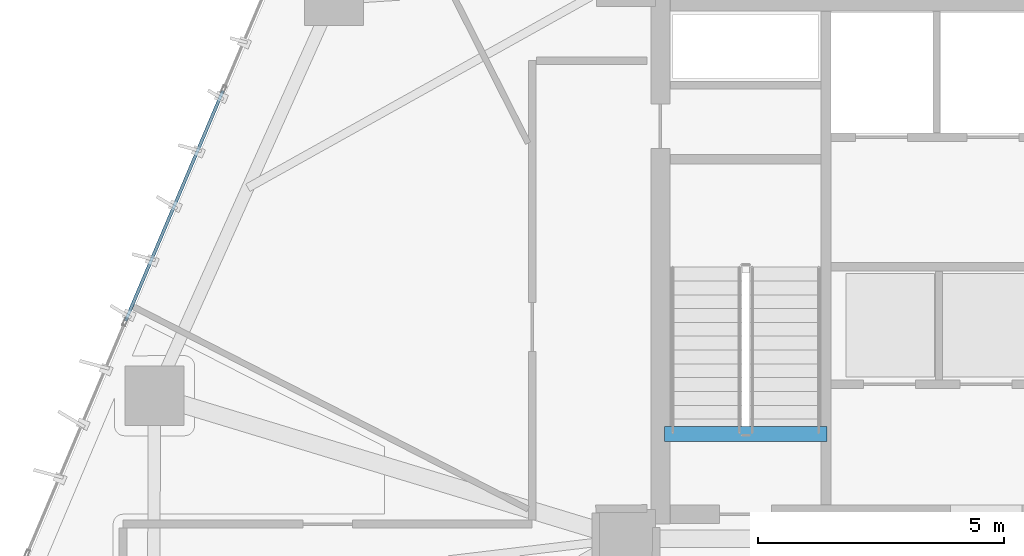
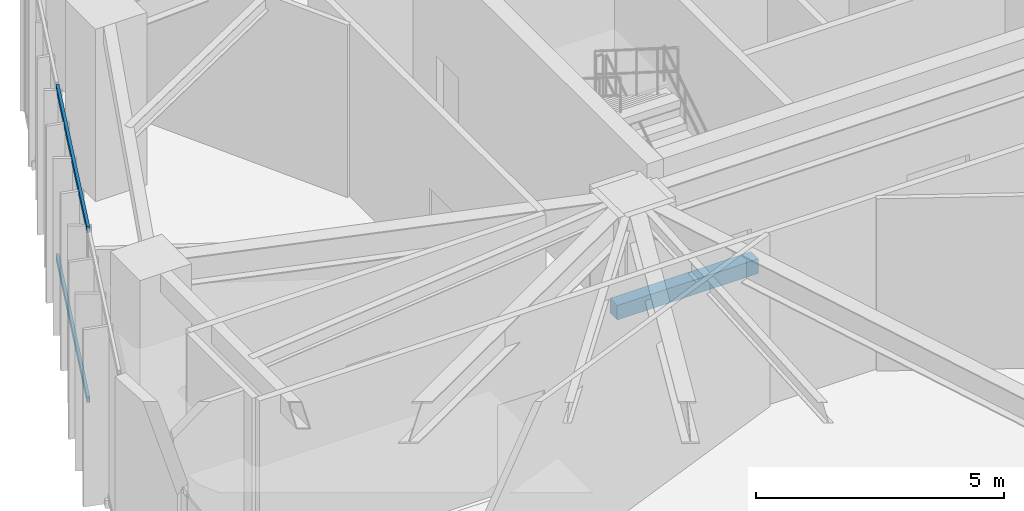
# One storey, part 12 of 28: 2 members, 1 beam, 1 element without a shape of its own.
"""IFC4 building model written with IfcOpenShell, lengths in metres."""

import ifcopenshell
import ifcopenshell.guid

model = None  # the IFC model being written
_history = None  # IfcOwnerHistory: only IFC2X3 demands one
_inside = {}  # id of a spatial element -> (the spatial element, [elements in it])
_under = {}  # id of a project, library or spatial element -> (it, [spatial elements below it])
_declared = {}  # id of a project -> (the project, [libraries it declares])
_typed = {}  # id of a type object -> (the type object, [elements of that type])
_made_of = {}  # id of a material, layer set ... -> (it, [elements and type objects made of it])


def new_model(schema):
    """Start an empty IFC model of exactly this schema.

    Asked for "IFC4X3", IfcOpenShell would pick the latest addendum, in which some entities
    have other attributes; the version numbers below select the first issue.
    IFC2X3 requires an IfcOwnerHistory on every rooted entity: one is made here for all.
    """
    global model, _history
    if schema == "IFC4X3":
        model = ifcopenshell.file(schema_version=(4, 3, 0, 0))
    else:
        model = ifcopenshell.file(schema=schema)
    _inside.clear()
    _under.clear()
    _declared.clear()
    _typed.clear()
    _made_of.clear()
    _history = None
    if model.schema == "IFC2X3":
        org = make("IfcOrganization", Name="unknown")
        user = make(
            "IfcPersonAndOrganization",
            ThePerson=make("IfcPerson", FamilyName="unknown"),
            TheOrganization=org,
        )
        app = make(
            "IfcApplication",
            ApplicationDeveloper=org,
            Version="unknown",
            ApplicationFullName="unknown",
            ApplicationIdentifier="unknown",
        )
        _history = make(
            "IfcOwnerHistory",
            OwningUser=user,
            OwningApplication=app,
            ChangeAction="ADDED",
            CreationDate=0,
        )
    return model


def make(cls, **values):
    """One entity of the class cls with the attributes given. An attribute that is None is left unset."""
    return model.create_entity(
        cls, **{name: value for name, value in values.items() if value is not None}
    )


def rooted(cls, **values):
    """An entity with a GlobalId (a new one), such as an element, a storey or a relation."""
    return make(cls, GlobalId=ifcopenshell.guid.new(), OwnerHistory=_history, **values)


def si_unit(unit_type, name, prefix=None):
    """IfcSIUnit, for example si_unit("LENGTHUNIT", "METRE", prefix="MILLI")."""
    return make("IfcSIUnit", UnitType=unit_type, Prefix=prefix, Name=name)


def assignment(units):
    """IfcUnitAssignment: the units of a project."""
    return None if units is None else make("IfcUnitAssignment", Units=units)


def point(xyz):
    """IfcCartesianPoint."""
    return None if xyz is None else make("IfcCartesianPoint", Coordinates=xyz)


def direction(xyz):
    """IfcDirection."""
    return None if xyz is None else make("IfcDirection", DirectionRatios=xyz)


def frame(location, z_axis=None, x_axis=None):
    """IfcAxis2Placement3D, a coordinate frame: its origin and axes. An axis left out is left unset."""
    return make(
        "IfcAxis2Placement3D",
        Location=point(location),
        Axis=direction(z_axis),
        RefDirection=direction(x_axis),
    )


def frame_2d(location, x_axis=None):
    """IfcAxis2Placement2D, a coordinate frame in the plane: its origin and x axis."""
    return make(
        "IfcAxis2Placement2D", Location=point(location), RefDirection=direction(x_axis)
    )


def origin():
    """The frame at (0, 0, 0) with its axes left unset."""
    return frame((0.0, 0.0, 0.0))


def origin_2d():
    """The frame at (0, 0) in the plane with its x axis left unset."""
    return frame_2d((0.0, 0.0))


def place(relative_to, where):
    """IfcLocalPlacement: puts the frame where relative to a parent placement (None: the world)."""
    return make(
        "IfcLocalPlacement", PlacementRelTo=relative_to, RelativePlacement=where
    )


def context(
    kind, dimensions, precision=None, world=None, true_north=None, identifier=None
):
    """IfcGeometricRepresentationContext, for example the 3D "Model" context."""
    return make(
        "IfcGeometricRepresentationContext",
        ContextIdentifier=identifier,
        ContextType=kind,
        CoordinateSpaceDimension=dimensions,
        Precision=precision,
        WorldCoordinateSystem=world,
        TrueNorth=true_north,
    )


def subcontext(parent, identifier, kind, view, scale=None):
    """IfcGeometricRepresentationSubContext, for example "Body" below "Model"."""
    return make(
        "IfcGeometricRepresentationSubContext",
        ContextIdentifier=identifier,
        ContextType=kind,
        ParentContext=parent,
        TargetScale=scale,
        TargetView=view,
    )


def project(units=None, contexts=None):
    """IfcProject with its units and contexts."""
    return rooted(
        "IfcProject",
        Name="project",
        RepresentationContexts=contexts,
        UnitsInContext=assignment(units),
    )


def spatial(cls, under=None, at=None, **own):
    """A site, building, storey or space (cls), placed at a placement, below another one or the project."""
    s = rooted(cls, ObjectPlacement=at, **own)
    if under is not None:
        _under.setdefault(under.id(), (under, []))[1].append(s)
    return s


def profile(cls, at=None, kind="AREA", **sizes):
    """A parametric profile (cls). Its sizes go by their IFC names, for example OverallWidth=200.0."""
    return make(cls, ProfileType=kind, Position=at, **sizes)


def rectangle(**sizes):
    """IfcRectangleProfileDef."""
    return profile("IfcRectangleProfileDef", **sizes)


def hollow_rectangle(**sizes):
    """IfcRectangleHollowProfileDef."""
    return profile("IfcRectangleHollowProfileDef", **sizes)


def extrude(swept, where, along, depth):
    """IfcExtrudedAreaSolid: the profile swept, set in the frame where, extruded along a direction by depth."""
    return make(
        "IfcExtrudedAreaSolid",
        SweptArea=swept,
        Position=where,
        ExtrudedDirection=direction(along),
        Depth=depth,
    )


def shape(context_of_items, identifier, shape_type, items):
    """IfcShapeRepresentation: the items that make up one representation, for example the "Body"."""
    return make(
        "IfcShapeRepresentation",
        ContextOfItems=context_of_items,
        RepresentationIdentifier=identifier,
        RepresentationType=shape_type,
        Items=items,
    )


def source(mapping_origin, context_of_items, identifier, shape_type, items):
    """IfcRepresentationMap: a shape defined once, which mapped items show again and again."""
    return make(
        "IfcRepresentationMap",
        MappingOrigin=mapping_origin,
        MappedRepresentation=shape(context_of_items, identifier, shape_type, items),
    )


def transform(
    local_origin,
    x_axis=None,
    y_axis=None,
    z_axis=None,
    scale=None,
    scale2=None,
    scale3=None,
    uniform=True,
):
    """IfcCartesianTransformationOperator3D, or its non-uniform kind. x_axis, y_axis, z_axis: its Axis1, 2, 3."""
    if uniform:
        return make(
            "IfcCartesianTransformationOperator3D",
            Axis1=direction(x_axis),
            Axis2=direction(y_axis),
            LocalOrigin=point(local_origin),
            Scale=scale,
            Axis3=direction(z_axis),
        )
    return make(
        "IfcCartesianTransformationOperator3DnonUniform",
        Axis1=direction(x_axis),
        Axis2=direction(y_axis),
        LocalOrigin=point(local_origin),
        Scale=scale,
        Axis3=direction(z_axis),
        Scale2=scale2,
        Scale3=scale3,
    )


def mapped(mapping_source, mapping_target):
    """IfcMappedItem: shows the shape of a source again, moved by a transform."""
    return make(
        "IfcMappedItem", MappingSource=mapping_source, MappingTarget=mapping_target
    )


def material(Name=None, Category=None):
    """IfcMaterial."""
    return make("IfcMaterial", Name=Name, Category=Category)


def layer(
    of_material, thickness, ventilated=None, Name=None, Category=None, Priority=None
):
    """IfcMaterialLayer: one layer of a wall or slab, of a material (None: an air gap)."""
    return make(
        "IfcMaterialLayer",
        Material=of_material,
        LayerThickness=thickness,
        IsVentilated=ventilated,
        Name=Name,
        Category=Category,
        Priority=Priority,
    )


def layer_set(layers, Name=None):
    """IfcMaterialLayerSet."""
    return make("IfcMaterialLayerSet", MaterialLayers=layers, LayerSetName=Name)


def material_profile(
    of_material, cross_section, Name=None, Category=None, Priority=None
):
    """IfcMaterialProfile: a cross section and its material."""
    return make(
        "IfcMaterialProfile",
        Name=Name,
        Material=of_material,
        Profile=cross_section,
        Priority=Priority,
        Category=Category,
    )


def profile_set(profiles, Name=None, composite=None):
    """IfcMaterialProfileSet."""
    return make(
        "IfcMaterialProfileSet",
        Name=Name,
        MaterialProfiles=profiles,
        CompositeProfile=composite,
    )


def made_of(thing, what):
    """Note that an element or type object is made of a material, layer set ...; save() writes the relation."""
    if what is not None:
        _made_of.setdefault(what.id(), (what, []))[1].append(thing)
    return thing


def type_object(cls, material=None, **own):
    """A type object (cls), such as IfcWallType, which elements share."""
    return made_of(rooted(cls, **own), material)


def type_shapes(of_type, sources):
    """Give a type object the sources (RepresentationMaps) that its elements show as mapped items."""
    of_type.RepresentationMaps = sources


def element(
    cls,
    number,
    at=None,
    inside=None,
    cuts=None,
    type_object=None,
    material=None,
    context=None,
    identifier="Body",
    shape_type=None,
    held_by="IfcProductDefinitionShape",
    body=None,
    shapes=None,
    **own,
):
    """One element of the class cls, such as IfcWall. Its Tag is "e" and its number.

    at: its placement. inside: the storey or other place that contains it. cuts: it is an
    opening in that element (IfcRelVoidsElement). A single representation is given by context,
    identifier, shape_type and body (its items); several are given by shapes. held_by: the class
    of the entity that holds the representations. save() writes the other relations.
    """
    e = rooted(cls, Tag="e%d" % number, ObjectPlacement=at, **own)
    if body is not None:
        shapes = [shape(context, identifier, shape_type, body)]
    if shapes is not None:
        e.Representation = make(held_by, Representations=shapes)
    if inside is not None:
        _inside.setdefault(inside.id(), (inside, []))[1].append(e)
    if cuts is not None:
        rooted(
            "IfcRelVoidsElement", RelatingBuildingElement=cuts, RelatedOpeningElement=e
        )
    if type_object is not None:
        _typed.setdefault(type_object.id(), (type_object, []))[1].append(e)
    return made_of(e, material)


def aggregate(whole, parts):
    """IfcRelAggregates: a whole, such as a stair, and the parts it consists of."""
    return rooted("IfcRelAggregates", RelatingObject=whole, RelatedObjects=parts)


def save(model, path):
    """Write the relations noted so far, then the file.

    IfcRelAggregates (storeys below a building ...), IfcRelContainedInSpatialStructure (elements
    in a storey), IfcRelDefinesByType, IfcRelAssociatesMaterial and IfcRelDeclares: one each for
    every whole, place, type object, material and project.
    """
    for whole, parts in _under.values():
        aggregate(whole, parts)
    for where, things in _inside.values():
        rooted(
            "IfcRelContainedInSpatialStructure",
            RelatedElements=things,
            RelatingStructure=where,
        )
    for kind, things in _typed.values():
        rooted("IfcRelDefinesByType", RelatedObjects=things, RelatingType=kind)
    for what, things in _made_of.values():
        rooted("IfcRelAssociatesMaterial", RelatedObjects=things, RelatingMaterial=what)
    for by, libraries in _declared.values():
        rooted("IfcRelDeclares", RelatingContext=by, RelatedDefinitions=libraries)
    model.write(path)


model = new_model("IFC4")

# Units and contexts
model_context = context("Model", 3, precision=1e-05, world=origin(), true_north=direction((0.0, 1.0)))
body_context = subcontext(model_context, "Body", "Model", "MODEL_VIEW")
ifc_project = project(units=[si_unit("LENGTHUNIT", "METRE"), si_unit("AREAUNIT", "SQUARE_METRE"), si_unit("VOLUMEUNIT", "CUBIC_METRE"), si_unit("PLANEANGLEUNIT", "RADIAN"), si_unit("MASSUNIT", "GRAM", prefix="KILO")], contexts=[model_context])

# Site, building, storey
site_placement = place(None, origin())
site = spatial("IfcSite", under=ifc_project, at=site_placement, CompositionType="ELEMENT")
building_placement = place(site_placement, origin())
building = spatial("IfcBuilding", under=site, at=building_placement, Name="Talar Marvaseh", CompositionType="ELEMENT")
storey_placement = place(building_placement, frame((0.0, 0.0, 157.800048828125)))
storey = spatial("IfcBuildingStorey", under=building, at=storey_placement, Name="L41", CompositionType="ELEMENT", Elevation=157.800048828125)

# Beam
ifc_material_1 = material(Name="Concrete C40/50", Category="concrete")
ifc_material_profile_1 = material_profile(ifc_material_1, rectangle(XDim=0.300048828125, YDim=0.360107421875, at=origin_2d()), Name="RC300x360")
ifc_profile_set_1 = profile_set([ifc_material_profile_1], Name="Concrete C40/50")
beam_type = type_object("IfcBeamType", Name="Concrete Stair Landing Trimmer Beam RC300x360", PredefinedType="SPANDREL", material=ifc_profile_set_1)
beam_placement = place(storey_placement, frame((22.780029296875, 27.6298828125, -0.179931640625), z_axis=(-1.0, 0.0, 0.0), x_axis=(0.0, -1.0, 0.0)))
element("IfcBeam", 1, at=beam_placement, inside=storey, type_object=beam_type, Name="L41 ST-1 Stair Nosing Trimmer Beam", PredefinedType="SPANDREL", context=body_context, shape_type="SweptSolid", body=[
    extrude(rectangle(XDim=0.300048828125, YDim=0.360107421875, at=origin_2d()), origin(), (0.0, 0.0, 1.0), 3.300048828125),
])

# Curtain wall, members
ifc_material_2 = material(Name="Architectural Aluminium", Category="aluminium")
ifc_layer = layer(ifc_material_2, 0.239990234375)
ifc_layer_set = layer_set([ifc_layer], Name="Architectural Aluminium")
curtain_wall_type = type_object("IfcCurtainWallType", Name="Observation Sky Gallery Structural Glass Wall", PredefinedType="NOTDEFINED", material=ifc_layer_set)
curtain_wall_placement = place(storey_placement, origin())
curtain_wall = element("IfcCurtainWall", 2, at=curtain_wall_placement, inside=storey, type_object=curtain_wall_type, Name="L41 Observation Sky Gallery Structural Glass Wall", PredefinedType="NOTDEFINED")
ifc_material_profile_2 = material_profile(ifc_material_2, hollow_rectangle(XDim=0.06494140625, YDim=0.14990234375, WallThickness=0.00390625, at=origin_2d()), Name="RHS150x65x4")
ifc_profile_set_2 = profile_set([ifc_material_profile_2], Name="Architectural Aluminium")
member_type = type_object("IfcMemberType", Name="Unitised Curtain Wall Slim Transom RHS150x65x4", PredefinedType="USERDEFINED", material=ifc_profile_set_2)
shared_shape = source(origin(), body_context, "Body", "SweptSolid", [
    extrude(hollow_rectangle(XDim=0.06494140625, YDim=0.14990234375, WallThickness=0.00390625, at=origin_2d()), origin(), (0.0, 0.0, 1.0), 5.06494140625),
])
type_shapes(member_type, [shared_shape])
member_1_placement = place(storey_placement, frame((8.552978515625, 29.92333984375, 0.032470703125), z_axis=(0.389668295206, 0.92095527563, 0.0), x_axis=(-0.92095527563, 0.389668295206, 0.0)))
member_1 = element("IfcMember", 3, at=member_1_placement, type_object=member_type, Name="CW-OBS transom 2.1", ObjectType="TRANSOM", PredefinedType="USERDEFINED", context=body_context, shape_type="MappedRepresentation", body=[
    mapped(shared_shape, transform((0.0, 0.0, 0.0), x_axis=(1.0, 0.0, 0.0), y_axis=(0.0, 1.0, 0.0), z_axis=(0.0, 0.0, 1.0), scale=1.0)),
])
member_2_placement = place(storey_placement, frame((8.552978515625, 29.92333984375, 4.217529296875), z_axis=(0.389668295206, 0.92095527563, 0.0), x_axis=(-0.92095527563, 0.389668295206, 0.0)))
member_2 = element("IfcMember", 4, at=member_2_placement, type_object=member_type, Name="CW-OBS transom 2.2", ObjectType="TRANSOM", PredefinedType="USERDEFINED", context=body_context, shape_type="MappedRepresentation", body=[
    mapped(shared_shape, transform((0.0, 0.0, 0.0), x_axis=(1.0, 0.0, 0.0), y_axis=(0.0, 1.0, 0.0), z_axis=(0.0, 0.0, 1.0), scale=1.0)),
])
aggregate(curtain_wall, [member_1, member_2])

save(model, "model.ifc")
